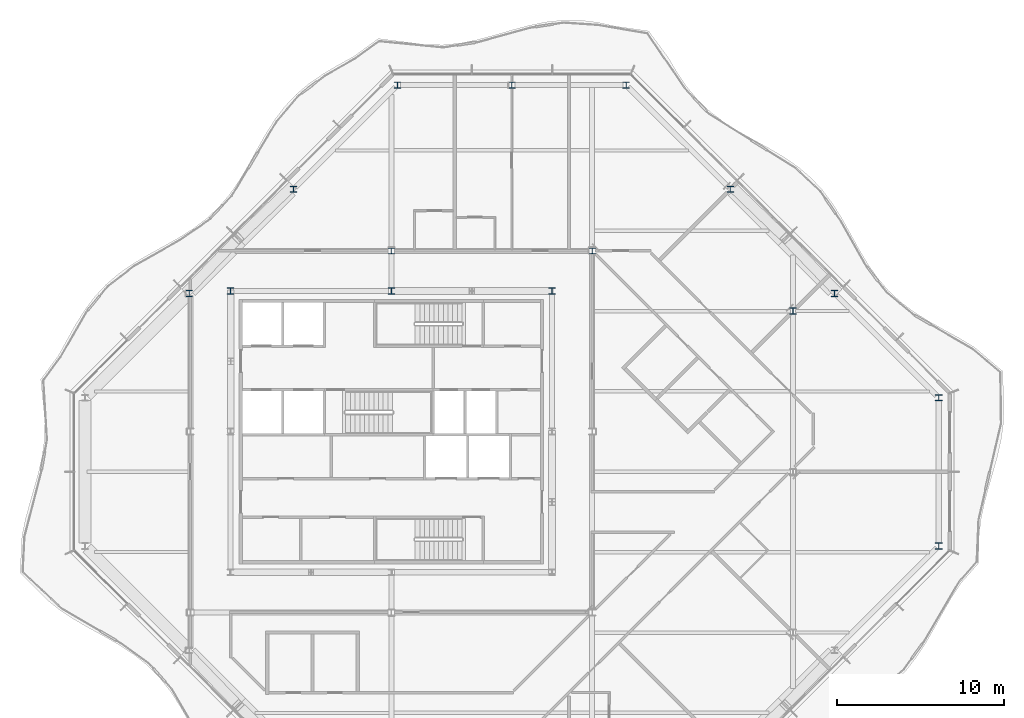
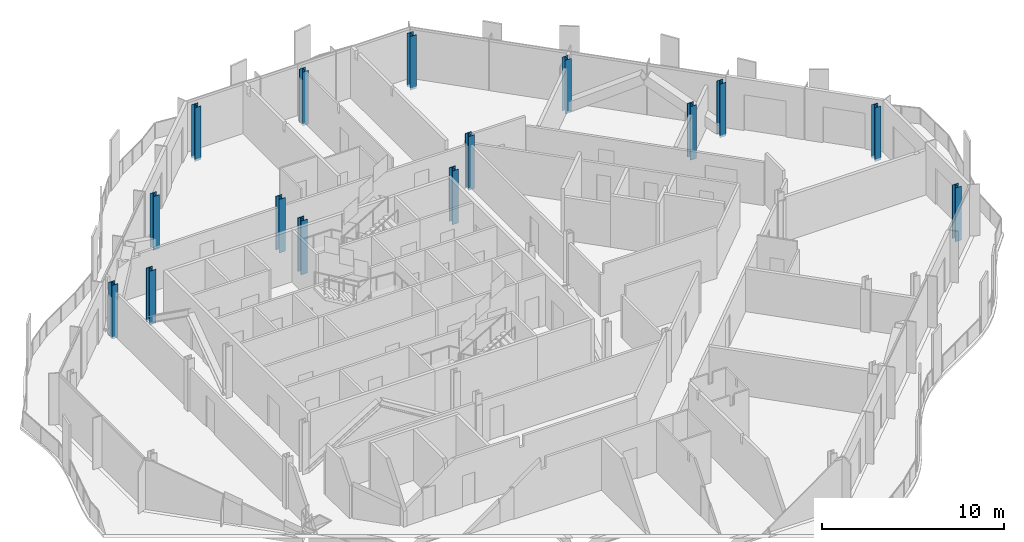
# One storey, part 2 of 16: 15 columns.
"""IFC4 building model written with IfcOpenShell, lengths in metres."""

from ifc_helpers import new_model, si_unit, direction, frame, origin, origin_2d, place, context, subcontext, project, spatial, i_section, extrude, material, material_profile, profile_set, type_object, element, save


model = new_model("IFC4")

# Units and contexts
model_context = context("Model", 3, precision=1e-05, world=origin(), true_north=direction((0.0, 1.0)))
body_context = subcontext(model_context, "Body", "Model", "MODEL_VIEW")
ifc_project = project(units=[si_unit("LENGTHUNIT", "METRE"), si_unit("AREAUNIT", "SQUARE_METRE"), si_unit("VOLUMEUNIT", "CUBIC_METRE"), si_unit("PLANEANGLEUNIT", "RADIAN"), si_unit("MASSUNIT", "GRAM", prefix="KILO")], contexts=[model_context])

# Site, building, storey
site_placement = place(None, origin())
site = spatial("IfcSite", under=ifc_project, at=site_placement, CompositionType="ELEMENT")
building_placement = place(site_placement, origin())
building = spatial("IfcBuilding", under=site, at=building_placement, Name="Cairn Pilgrim Tower", CompositionType="ELEMENT")
storey_placement = place(building_placement, frame((0.0, 0.0, 285.0)))
storey = spatial("IfcBuildingStorey", under=building, at=storey_placement, Name="L73", CompositionType="ELEMENT", Elevation=285.0)

# Columns
ifc_material = material(Name="Structural steel S355J2", Category="steel")
ifc_material_profile_1 = material_profile(ifc_material, i_section(OverallWidth=0.39111328125, OverallDepth=0.367919921875, WebThickness=0.014892578125, FlangeThickness=0.02392578125, FilletRadius=0.014892578125, at=origin_2d()), Name="HD 400x187")
ifc_profile_set_1 = profile_set([ifc_material_profile_1], Name="Structural steel S355J2")
column_type_1 = type_object("IfcColumnType", Name="HD 400x187", PredefinedType="COLUMN", material=ifc_profile_set_1)
for number, where, z_axis, x_axis, name in (
    (1, (39.89990234375, -4.42724609375, -0.14990234375), (0.0, 0.0, 1.0), (1.0, 0.0, 0.0), "PC4-E1"),
    (2, (39.89990234375, 4.42724609375, -0.14990234375), (0.0, 0.0, 1.0), (1.0, 0.0, 0.0), "PC4-NE1"),
    (3, (33.67578125, 10.651611328125, -0.14990234375), (0.0, 0.0, 1.0), (1.0, 0.0, 0.0), "PC4-NE2"),
    (4, (27.451416015625, 16.875732421875, -0.14990234375), (0.0, 0.0, 1.0), (1.0, 0.0, 0.0), "PC4-NE3"),
    (5, (21.227294921875, 23.10009765625, -0.14990234375), (0.0, 0.0, 1.0), (1.0, 0.0, 0.0), "PC4-N1"),
    (6, (14.39990234375, 23.10009765625, -0.14990234375), (0.0, 0.0, 1.0), (1.0, 0.0, 0.0), "PC4-N2"),
    (7, (7.57275390625, 23.10009765625, -0.14990234375), (0.0, 0.0, 1.0), (1.0, 0.0, 0.0), "PC4-NW1"),
    (8, (1.348388671875, 16.875732421875, -0.14990234375), (0.0, 0.0, 1.0), (1.0, 0.0, 0.0), "PC4-NW2"),
    (9, (-4.875732421875, 10.651611328125, -0.14990234375), (0.0, 0.0, 1.0), (1.0, 0.0, 0.0), "PC4-NW3"),
):
    element("IfcColumn", number, at=place(storey_placement, frame(where, z_axis=z_axis, x_axis=x_axis)), inside=storey, type_object=column_type_1, Name=name, PredefinedType="COLUMN", context=body_context, shape_type="SweptSolid", body=[
        extrude(i_section(OverallWidth=0.39111328125, OverallDepth=0.367919921875, WebThickness=0.014892578125, FlangeThickness=0.02392578125, FilletRadius=0.014892578125, at=origin_2d()), origin(), (0.0, 0.0, 1.0), 3.599853515625),
    ])
ifc_material_profile_2 = material_profile(ifc_material, i_section(OverallWidth=0.39404296875, OverallDepth=0.375, WebThickness=0.017333984375, FlangeThickness=0.027587890625, FilletRadius=0.014892578125, at=origin_2d()), Name="HD 400x216")
ifc_profile_set_2 = profile_set([ifc_material_profile_2], Name="Structural steel S355J2")
column_type_2 = type_object("IfcColumnType", Name="HD 400x216", PredefinedType="COLUMN", material=ifc_profile_set_2)
for number, where, z_axis, x_axis, name in (
    (10, (7.199951171875, 13.199951171875, -0.14990234375), (0.0, 0.0, 1.0), (1.0, 0.0, 0.0), "IC-7"),
    (11, (19.199951171875, 13.199951171875, -0.14990234375), (0.0, 0.0, 1.0), (1.0, 0.0, 0.0), "IC-8"),
    (12, (31.199951171875, 9.60009765625, -0.14990234375), (0.0, 0.0, 1.0), (1.0, 0.0, 0.0), "WC-WE+2"),
):
    element("IfcColumn", number, at=place(storey_placement, frame(where, z_axis=z_axis, x_axis=x_axis)), inside=storey, type_object=column_type_2, Name=name, PredefinedType="COLUMN", context=body_context, shape_type="SweptSolid", body=[
        extrude(i_section(OverallWidth=0.39404296875, OverallDepth=0.375, WebThickness=0.017333984375, FlangeThickness=0.027587890625, FilletRadius=0.014892578125, at=origin_2d()), origin(), (0.0, 0.0, 1.0), 3.599853515625),
    ])
ifc_material_profile_3 = material_profile(ifc_material, i_section(OverallWidth=0.39794921875, OverallDepth=0.386962890625, WebThickness=0.02099609375, FlangeThickness=0.033203125, FilletRadius=0.014892578125, at=origin_2d()), Name="HD 400x262")
ifc_profile_set_3 = profile_set([ifc_material_profile_3], Name="Structural steel S355J2")
column_type_3 = type_object("IfcColumnType", Name="HD 400x262", PredefinedType="COLUMN", material=ifc_profile_set_3)
for number, where, z_axis, x_axis, name in (
    (13, (-2.39990234375, 10.800048828125, -0.14990234375), (0.0, 0.0, 1.0), (1.0, 0.0, 0.0), "KC-6"),
    (14, (7.199951171875, 10.800048828125, -0.14990234375), (0.0, 0.0, 1.0), (1.0, 0.0, 0.0), "KC-7"),
    (15, (16.800048828125, 10.800048828125, -0.14990234375), (0.0, 0.0, 1.0), (1.0, 0.0, 0.0), "KC-8"),
):
    element("IfcColumn", number, at=place(storey_placement, frame(where, z_axis=z_axis, x_axis=x_axis)), inside=storey, type_object=column_type_3, Name=name, PredefinedType="COLUMN", context=body_context, shape_type="SweptSolid", body=[
        extrude(i_section(OverallWidth=0.39794921875, OverallDepth=0.386962890625, WebThickness=0.02099609375, FlangeThickness=0.033203125, FilletRadius=0.014892578125, at=origin_2d()), origin(), (0.0, 0.0, 1.0), 3.599853515625),
    ])

save(model, "model.ifc")
